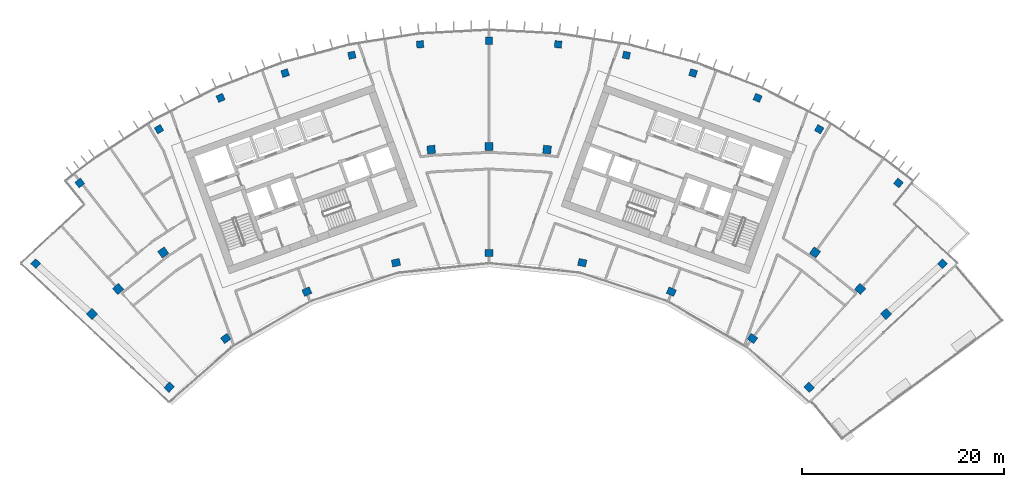
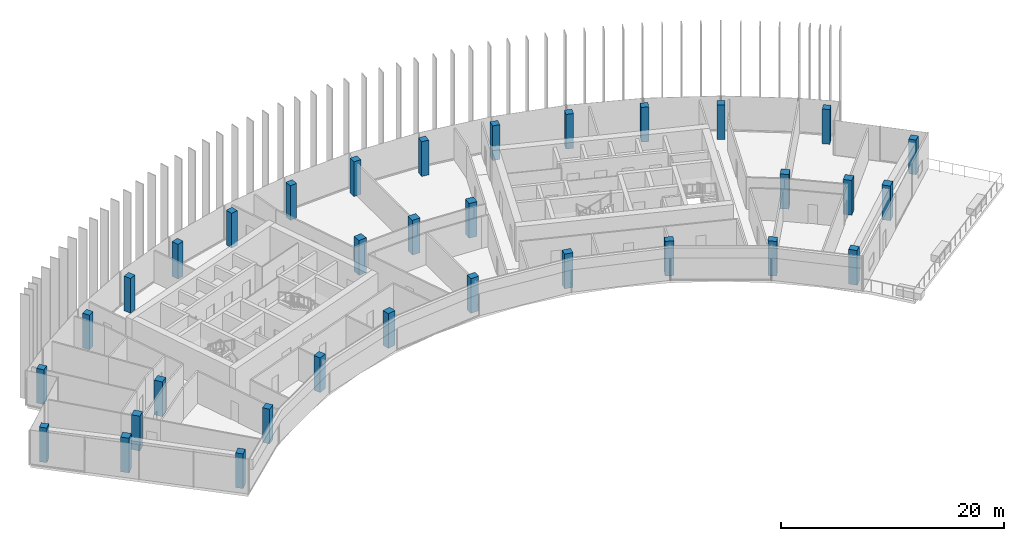
# One storey, part 1 of 19: 33 columns.
"""IFC4 building model written with IfcOpenShell, lengths in metres."""

from ifc_helpers import new_model, si_unit, direction, frame, origin, origin_2d, place, context, subcontext, project, spatial, rectangle, extrude, material, material_profile, profile_set, type_object, element, save


model = new_model("IFC4")

# Units and contexts
model_context = context("Model", 3, precision=1e-05, world=origin(), true_north=direction((0.0, 1.0)))
body_context = subcontext(model_context, "Body", "Model", "MODEL_VIEW")
ifc_project = project(units=[si_unit("LENGTHUNIT", "METRE"), si_unit("AREAUNIT", "SQUARE_METRE"), si_unit("VOLUMEUNIT", "CUBIC_METRE"), si_unit("PLANEANGLEUNIT", "RADIAN"), si_unit("MASSUNIT", "GRAM", prefix="KILO")], contexts=[model_context])

# Site, building, storey
site_placement = place(None, origin())
site = spatial("IfcSite", under=ifc_project, at=site_placement, CompositionType="ELEMENT")
building_placement = place(site_placement, origin())
building = spatial("IfcBuilding", under=site, at=building_placement, Name="Stone Belt Terrace Tower", CompositionType="ELEMENT")
storey_placement = place(building_placement, frame((0.0, 0.0, 258.0)))
storey = spatial("IfcBuildingStorey", under=building, at=storey_placement, Name="L62", CompositionType="ELEMENT", Elevation=258.0)

# Columns
ifc_material = material(Name="Concrete B60", Category="concrete")
ifc_material_profile_1 = material_profile(ifc_material, rectangle(XDim=0.699951171875, YDim=0.699951171875, at=origin_2d()), Name="RC 700x700")
ifc_profile_set_1 = profile_set([ifc_material_profile_1], Name="Concrete B60")
column_type_1 = type_object("IfcColumnType", Name="Column RC 700x700 B60", PredefinedType="COLUMN", material=ifc_profile_set_1)
for number, where, z_axis, x_axis, name in (
    (1, (-44.97705078125, 43.381103515625, 0.0), (0.0, 0.0, 1.0), (0.694221333646, 0.719761585465, 0.0), "Column L62 RA"),
    (2, (44.97705078125, 43.381103515625, 0.0), (0.0, 0.0, 1.0), (0.694221333646, -0.719761585465, 0.0), "Column L62 RB"),
    (3, (-40.605712890625, 51.380615234375, 0.0), (0.0, 0.0, 1.0), (0.784569718703, 0.620040608746, 0.0), "Column L62 RNA"),
    (4, (-32.744384765625, 56.715087890625, 0.0), (0.0, 0.0, 1.0), (0.866025403784, 0.5, 0.0), "Column L62 R17"),
    (5, (-26.63671875, 59.8271484375, 0.0), (0.0, 0.0, 1.0), (0.913545457643, 0.406736643076, 0.0), "Column L62 R18"),
    (6, (-20.2373046875, 62.28369140625, 0.0), (0.0, 0.0, 1.0), (0.951056516295, 0.309016994375, 0.0), "Column L62 R19"),
    (7, (-13.615966796875, 64.057861328125, 0.0), (0.0, 0.0, 1.0), (0.978147600734, 0.207911690818, 0.0), "Column L62 R20"),
    (8, (-6.845458984375, 65.130126953125, 0.0), (0.0, 0.0, 1.0), (0.994521895368, 0.104528463268, 0.0), "Column L62 R21"),
    (9, (0.0, 65.489013671875, 0.0), (0.0, 0.0, 1.0), (1.0, 0.0, 0.0), "Column L62 R22"),
    (10, (6.845458984375, 65.130126953125, 0.0), (0.0, 0.0, 1.0), (0.994521895368, -0.104528463268, 0.0), "Column L62 R23"),
    (11, (13.615966796875, 64.057861328125, 0.0), (0.0, 0.0, 1.0), (0.978147600734, -0.207911690818, 0.0), "Column L62 R24"),
    (12, (20.2373046875, 62.28369140625, 0.0), (0.0, 0.0, 1.0), (0.951056516295, -0.309016994375, 0.0), "Column L62 R25"),
    (13, (26.63671875, 59.8271484375, 0.0), (0.0, 0.0, 1.0), (0.913545457643, -0.406736643076, 0.0), "Column L62 R26"),
    (14, (32.744384765625, 56.715087890625, 0.0), (0.0, 0.0, 1.0), (0.866025403784, -0.5, 0.0), "Column L62 R27"),
    (15, (40.605712890625, 51.380615234375, 0.0), (0.0, 0.0, 1.0), (0.784569718703, -0.620040608746, 0.0), "Column L62 RNB"),
):
    element("IfcColumn", number, at=place(storey_placement, frame(where, z_axis=z_axis, x_axis=x_axis)), inside=storey, type_object=column_type_1, Name=name, PredefinedType="COLUMN", context=body_context, shape_type="SweptSolid", body=[
        extrude(rectangle(XDim=0.699951171875, YDim=0.699951171875, at=origin_2d()), origin(), (0.0, 0.0, 1.0), 3.800048828125),
    ])
ifc_material_profile_2 = material_profile(ifc_material, rectangle(XDim=0.800048828125, YDim=0.699951171875, at=origin_2d()), Name="RC 800x700")
ifc_profile_set_2 = profile_set([ifc_material_profile_2], Name="Concrete B60")
column_type_2 = type_object("IfcColumnType", Name="Column RC 800x700 B60", PredefinedType="COLUMN", material=ifc_profile_set_2)
for number, where, z_axis, x_axis, name in (
    (16, (-31.73486328125, 31.11669921875, 0.0), (0.0, 0.0, 1.0), (0.700119596097, 0.714025595592, 0.0), "Column L62 PA"),
    (17, (-26.1240234375, 35.956787109375, 0.0), (0.0, 0.0, 1.0), (0.809016994375, 0.587785252292, 0.0), "Column L62 P16"),
    (18, (-18.077392578125, 40.6025390625, 0.0), (0.0, 0.0, 1.0), (0.913545457643, 0.406736643076, 0.0), "Column L62 P18"),
    (19, (-9.240478515625, 43.473876953125, 0.0), (0.0, 0.0, 1.0), (0.978147600734, 0.207911690818, 0.0), "Column L62 P20"),
    (20, (0.0, 44.445068359375, 0.0), (0.0, 0.0, 1.0), (1.0, 0.0, 0.0), "Column L62 P22"),
    (21, (9.240478515625, 43.473876953125, 0.0), (0.0, 0.0, 1.0), (0.978147600734, -0.207911690818, 0.0), "Column L62 P24"),
    (22, (18.077392578125, 40.6025390625, 0.0), (0.0, 0.0, 1.0), (0.913545457643, -0.406736643076, 0.0), "Column L62 P26"),
    (23, (26.1240234375, 35.956787109375, 0.0), (0.0, 0.0, 1.0), (0.809016994375, -0.587785252292, 0.0), "Column L62 P28"),
    (24, (31.73486328125, 31.11669921875, 0.0), (0.0, 0.0, 1.0), (0.700119596097, -0.714025595592, 0.0), "Column L62 PB"),
):
    element("IfcColumn", number, at=place(storey_placement, frame(where, z_axis=z_axis, x_axis=x_axis)), inside=storey, type_object=column_type_2, Name=name, PredefinedType="COLUMN", context=body_context, shape_type="SweptSolid", body=[
        extrude(rectangle(XDim=0.800048828125, YDim=0.699951171875, at=origin_2d()), origin(), (0.0, 0.0, 1.0), 3.800048828125),
    ])
ifc_material_profile_3 = material_profile(ifc_material, rectangle(XDim=0.800048828125, YDim=0.800048828125, at=origin_2d()), Name="RC 800x800")
ifc_profile_set_3 = profile_set([ifc_material_profile_3], Name="Concrete B60")
column_type_3 = type_object("IfcColumnType", Name="Column RC 800x800 B60", PredefinedType="COLUMN", material=ifc_profile_set_3)
for number, where, z_axis, x_axis, name in (
    (25, (-39.38818359375, 38.386962890625, 0.0), (0.0, 0.0, 1.0), (0.697944216238, 0.716152128406, 0.0), "Column L62 QA"),
    (26, (-36.80224609375, 40.873046875, 0.0), (0.0, 0.0, 1.0), (0.743144825477, 0.669130606359, 0.0), "Column L62 Q15"),
    (27, (-32.328125, 44.495849609375, 0.0), (0.0, 0.0, 1.0), (0.809016994375, 0.587785252292, 0.0), "Column L62 Q16"),
    (28, (-5.7490234375, 54.69873046875, 0.0), (0.0, 0.0, 1.0), (0.994521895368, 0.104528463268, 0.0), "Column L62 Q21"),
    (29, (0.0, 55.0, 0.0), (0.0, 0.0, 1.0), (1.0, 0.0, 0.0), "Column L62 Q22"),
    (30, (5.7490234375, 54.69873046875, 0.0), (0.0, 0.0, 1.0), (0.994521895368, -0.104528463268, 0.0), "Column L62 Q23"),
    (31, (32.328125, 44.495849609375, 0.0), (0.0, 0.0, 1.0), (0.809016994375, -0.587785252292, 0.0), "Column L62 Q28"),
    (32, (36.80224609375, 40.873046875, 0.0), (0.0, 0.0, 1.0), (0.743144825477, -0.669130606359, 0.0), "Column L62 Q29"),
    (33, (39.38818359375, 38.386962890625, 0.0), (0.0, 0.0, 1.0), (0.697944216238, -0.716152128406, 0.0), "Column L62 QB"),
):
    element("IfcColumn", number, at=place(storey_placement, frame(where, z_axis=z_axis, x_axis=x_axis)), inside=storey, type_object=column_type_3, Name=name, PredefinedType="COLUMN", context=body_context, shape_type="SweptSolid", body=[
        extrude(rectangle(XDim=0.800048828125, YDim=0.800048828125, at=origin_2d()), origin(), (0.0, 0.0, 1.0), 3.800048828125),
    ])

save(model, "model.ifc")
